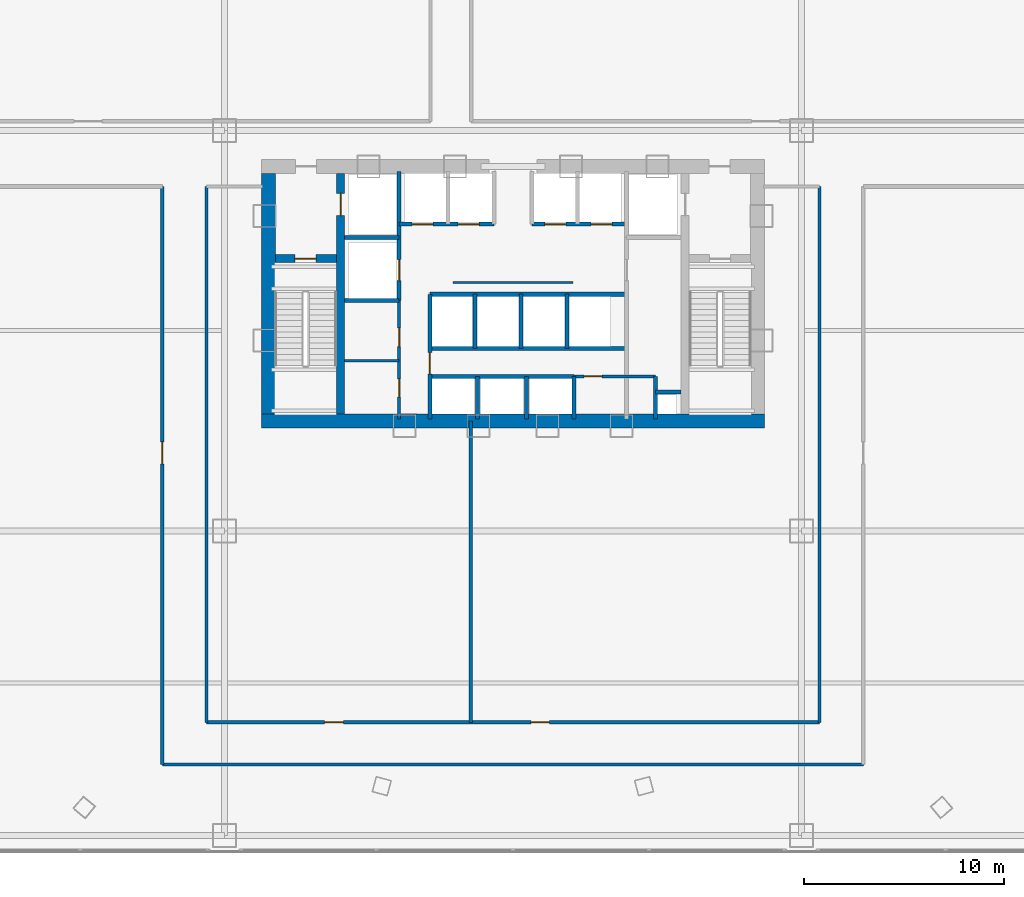
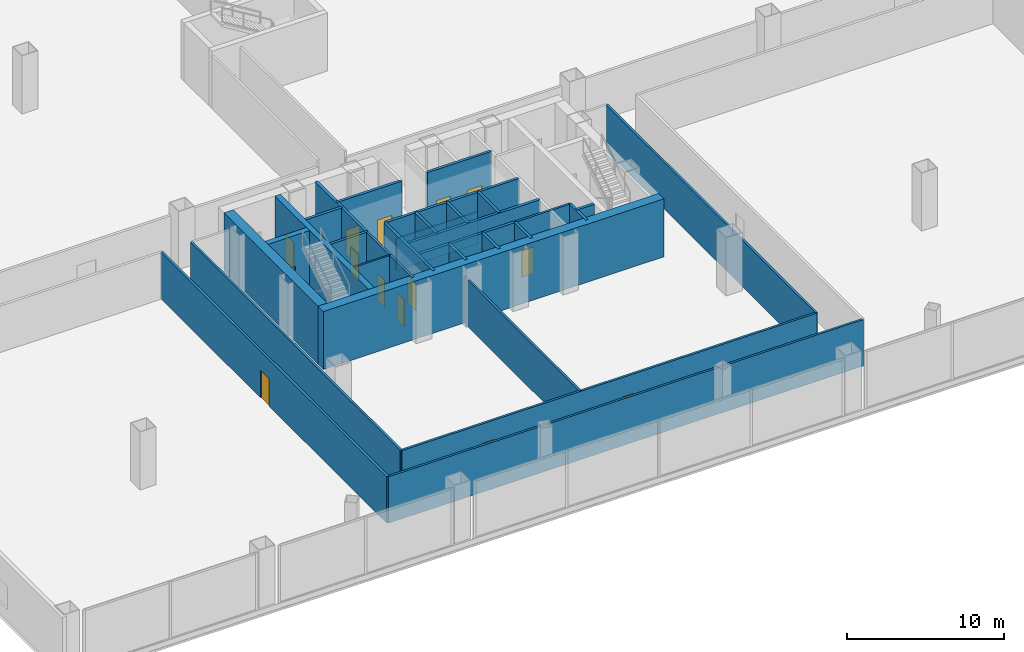
# One storey, part 19 of 27: 31 walls, 14 doors, 14 openings.
"""IFC4 building model written with IfcOpenShell, lengths in metres."""

from ifc_helpers import new_model, si_unit, direction, frame, frame_2d, origin, origin_with_axes, place, context, subcontext, project, spatial, rectangle, extrude, source, transform, mapped, material, layer, layer_set, type_object, element, fill, save


model = new_model("IFC4")

# Units and contexts
model_context = context("Model", 3, precision=1e-05, world=origin(), true_north=direction((0.0, 1.0)))
body_context = subcontext(model_context, "Body", "Model", "MODEL_VIEW")
ifc_project = project(units=[si_unit("LENGTHUNIT", "METRE"), si_unit("AREAUNIT", "SQUARE_METRE"), si_unit("VOLUMEUNIT", "CUBIC_METRE"), si_unit("PLANEANGLEUNIT", "RADIAN"), si_unit("MASSUNIT", "GRAM", prefix="KILO"), si_unit("THERMODYNAMICTEMPERATUREUNIT", "KELVIN"), si_unit("POWERUNIT", "WATT")], contexts=[model_context])

# Site, building, storey
site_placement = place(None, origin())
site = spatial("IfcSite", under=ifc_project, at=site_placement, CompositionType="ELEMENT")
building_placement = place(site_placement, origin())
building = spatial("IfcBuilding", under=site, at=building_placement, Name="Yunzhuo Pagoda Commons", CompositionType="ELEMENT")
storey_placement = place(building_placement, frame((0.0, 0.0, 9.60009765625)))
storey = spatial("IfcBuildingStorey", under=building, at=storey_placement, Name="L03", CompositionType="ELEMENT", Elevation=9.60009765625)

# Walls
ifc_material_1 = material(Name="Concrete C60", Category="concrete")
ifc_layer_1 = layer(ifc_material_1, 0.699951171875)
ifc_layer_set_1 = layer_set([ifc_layer_1], Name="Concrete C60")
wall_type_1 = type_object("IfcWallType", Name="W-C01 Lower Core Shear Wall 700", PredefinedType="SHEAR", material=ifc_layer_set_1)
wall_1_placement = place(storey_placement, frame((35.449951171875, 27.5, 0.0), z_axis=(0.0, 0.0, 1.0), x_axis=(1.0, 0.0, 0.0)))
element("IfcWall", 1, at=wall_1_placement, inside=storey, type_object=wall_type_1, Name="L03 core shear wall S", PredefinedType="SHEAR", context=body_context, shape_type="SweptSolid", body=[
    extrude(rectangle(XDim=25.10009765625, YDim=0.699951171875, at=frame_2d((12.550048828125, 0.0))), origin(), (0.0, 0.0, 1.0), 4.52001953125),
])
wall_2_placement = place(storey_placement, frame((35.800048828125, 27.85009765625, 0.0), z_axis=(0.0, 0.0, 1.0), x_axis=(0.0, 1.0, 0.0)))
element("IfcWall", 2, at=wall_2_placement, inside=storey, type_object=wall_type_1, Name="L03 core shear wall W", PredefinedType="SHEAR", context=body_context, shape_type="SweptSolid", body=[
    extrude(rectangle(XDim=12.0, YDim=0.699951171875, at=frame_2d((6.0, 0.0))), origin(), (0.0, 0.0, 1.0), 4.52001953125),
])

# Wall, openings, doors
ifc_material_2 = material(Name="Gypsum plasterboard on acoustic stud")
ifc_layer_2 = layer(ifc_material_2, 0.159912109375)
ifc_layer_set_2 = layer_set([ifc_layer_2], Name="Gypsum plasterboard on acoustic stud")
wall_type_2 = type_object("IfcWallType", Name="W-COR1 Tower Rated Corridor Wall 160", PredefinedType="PARTITIONING", material=ifc_layer_set_2)
wall_3_placement = place(storey_placement, frame((42.320068359375, 27.60009765625, 0.0), z_axis=(0.0, 0.0, 1.0), x_axis=(0.0, 1.0, 0.0)))
wall_3 = element("IfcWall", 3, at=wall_3_placement, inside=storey, type_object=wall_type_2, Name="L03 interior wall IW-L03-CSWE", PredefinedType="PARTITIONING", context=body_context, shape_type="SweptSolid", body=[
    extrude(rectangle(XDim=5.89990234375, YDim=0.159912109375, at=frame_2d((2.949951171875, 0.0))), origin(), (0.0, 0.0, 1.0), 4.52001953125),
])
opening_1_placement = place(wall_3_placement, frame((1.10009765625, 0.0, 0.0)))
opening_1 = element("IfcOpeningElement", 4, at=opening_1_placement, cuts=wall_3, Name="Opening D-03", PredefinedType="OPENING", context=body_context, shape_type="SweptSolid", body=[
    extrude(rectangle(XDim=0.89990234375, YDim=2.10009765625, at=frame_2d((0.449951171875, 1.050048828125))), frame((0.0, 0.08984375, 0.0), z_axis=(0.0, -1.0, 0.0), x_axis=(1.0, 0.0, 0.0)), (0.0, 0.0, 1.0), 0.179931640625),
])
opening_2_placement = place(wall_3_placement, frame((3.60009765625, 0.0, 0.0)))
opening_2 = element("IfcOpeningElement", 5, at=opening_2_placement, cuts=wall_3, Name="Opening D-11", PredefinedType="OPENING", context=body_context, shape_type="SweptSolid", body=[
    extrude(rectangle(XDim=0.93994140625, YDim=2.10009765625, at=frame_2d((0.469970703125, 1.050048828125))), frame((0.0, 0.08984375, 0.0), z_axis=(0.0, -1.0, 0.0), x_axis=(1.0, 0.0, 0.0)), (0.0, 0.0, 1.0), 0.179931640625),
])
ifc_material_3 = material(Name="Galvanized fire-resisting metal leaf")
door_type_1 = type_object("IfcDoorType", Name="D-03 Core Service Fire Door 900x2100", OperationType="NOTDEFINED", PredefinedType="DOOR", material=ifc_material_3)
shared_shape_1 = source(origin(), body_context, "Body", "SweptSolid", [
    extrude(rectangle(XDim=0.89990234375, YDim=2.10009765625, at=frame_2d((0.449951171875, 1.050048828125))), frame((0.0, 0.02490234375, 0.0), z_axis=(0.0, -1.0, 0.0), x_axis=(1.0, 0.0, 0.0)), (0.0, 0.0, 1.0), 0.050048828125),
])
door_1_placement = place(opening_1_placement, origin_with_axes())
door_1 = element("IfcDoor", 6, at=door_1_placement, inside=storey, type_object=door_type_1, Name="L03 housekeeping door", OperationType="SINGLE_SWING_RIGHT", OverallHeight=2.10009765625, OverallWidth=0.89990234375, PredefinedType="DOOR", context=body_context, shape_type="MappedRepresentation", body=[
    mapped(shared_shape_1, transform((0.0, 0.0, 0.0), scale=1.0)),
])
fill(opening_1, door_1)
door_type_2 = type_object("IfcDoorType", Name="D-11 Accessible Washroom Fire Door 940x2100", OperationType="NOTDEFINED", PredefinedType="DOOR", material=ifc_material_3)
shared_shape_2 = source(origin(), body_context, "Body", "SweptSolid", [
    extrude(rectangle(XDim=0.93994140625, YDim=2.10009765625, at=frame_2d((0.469970703125, 1.050048828125))), frame((0.0, 0.02490234375, 0.0), z_axis=(0.0, -1.0, 0.0), x_axis=(1.0, 0.0, 0.0)), (0.0, 0.0, 1.0), 0.050048828125),
])
door_2_placement = place(opening_2_placement, origin_with_axes())
door_2 = element("IfcDoor", 7, at=door_2_placement, inside=storey, type_object=door_type_2, Name="L03 core WC door", OperationType="SINGLE_SWING_RIGHT", OverallHeight=2.10009765625, OverallWidth=0.93994140625, PredefinedType="DOOR", context=body_context, shape_type="MappedRepresentation", body=[
    mapped(shared_shape_2, transform((0.0, 0.0, 0.0), scale=1.0)),
])
fill(opening_2, door_2)

# Wall, opening, door
wall_4_placement = place(storey_placement, frame((51.050048828125, 29.719970703125, 0.0), z_axis=(0.0, 0.0, 1.0), x_axis=(1.0, 0.0, 0.0)))
wall_4 = element("IfcWall", 8, at=wall_4_placement, inside=storey, type_object=wall_type_2, Name="L03 interior wall IW-L03-CSES", PredefinedType="PARTITIONING", context=body_context, shape_type="SweptSolid", body=[
    extrude(rectangle(XDim=4.070068359375, YDim=0.159912109375, at=frame_2d((2.03515625, 0.0))), origin(), (0.0, 0.0, 1.0), 4.52001953125),
])
opening_3_placement = place(wall_4_placement, frame((0.5, 0.0, 0.0)))
opening_3 = element("IfcOpeningElement", 9, at=opening_3_placement, cuts=wall_4, Name="Opening D-03", PredefinedType="OPENING", context=body_context, shape_type="SweptSolid", body=[
    extrude(rectangle(XDim=0.89990234375, YDim=2.10009765625, at=frame_2d((0.449951171875, 1.050048828125))), frame((0.0, 0.08984375, 0.0), z_axis=(0.0, -1.0, 0.0), x_axis=(1.0, 0.0, 0.0)), (0.0, 0.0, 1.0), 0.179931640625),
])
door_3_placement = place(opening_3_placement, origin_with_axes())
door_3 = element("IfcDoor", 10, at=door_3_placement, inside=storey, type_object=door_type_1, Name="L03 IT closet door", OperationType="SINGLE_SWING_LEFT", OverallHeight=2.10009765625, OverallWidth=0.89990234375, PredefinedType="DOOR", context=body_context, shape_type="MappedRepresentation", body=[
    mapped(shared_shape_1, transform((0.0, 0.0, 0.0), scale=1.0)),
])
fill(opening_3, door_3)

# Wall
wall_5_placement = place(storey_placement, frame((30.5, 10.35009765625, 0.0), z_axis=(0.0, 0.0, 1.0), x_axis=(1.0, 0.0, 0.0)))
element("IfcWall", 11, at=wall_5_placement, inside=storey, type_object=wall_type_2, Name="L03 interior wall IW-L03-PSOUT", PredefinedType="PARTITIONING", context=body_context, shape_type="SweptSolid", body=[
    extrude(rectangle(XDim=35.0, YDim=0.159912109375, at=frame_2d((17.5, 0.0))), origin(), (0.0, 0.0, 1.0), 3.619873046875),
])

# Wall, openings, doors
wall_6_placement = place(storey_placement, frame((32.699951171875, 12.449951171875, 0.0), z_axis=(0.0, 0.0, 1.0), x_axis=(1.0, 0.0, 0.0)))
wall_6 = element("IfcWall", 12, at=wall_6_placement, inside=storey, type_object=wall_type_2, Name="L03 interior wall IW-L03-PSMID", PredefinedType="PARTITIONING", context=body_context, shape_type="SweptSolid", body=[
    extrude(rectangle(XDim=30.60009765625, YDim=0.159912109375, at=frame_2d((15.300048828125, 0.0))), origin(), (0.0, 0.0, 1.0), 3.619873046875),
])
opening_4_placement = place(wall_6_placement, frame((16.199951171875, 0.0, 0.0)))
opening_4 = element("IfcOpeningElement", 13, at=opening_4_placement, cuts=wall_6, Name="Opening D-04", PredefinedType="OPENING", context=body_context, shape_type="SweptSolid", body=[
    extrude(rectangle(XDim=0.919921875, YDim=2.10009765625, at=frame_2d((0.4599609375, 1.050048828125))), frame((0.0, 0.08984375, 0.0), z_axis=(0.0, -1.0, 0.0), x_axis=(1.0, 0.0, 0.0)), (0.0, 0.0, 1.0), 0.179931640625),
])
opening_5_placement = place(wall_6_placement, frame((5.89990234375, 0.0, 0.0)))
opening_5 = element("IfcOpeningElement", 14, at=opening_5_placement, cuts=wall_6, Name="Opening D-11", PredefinedType="OPENING", context=body_context, shape_type="SweptSolid", body=[
    extrude(rectangle(XDim=0.93994140625, YDim=2.10009765625, at=frame_2d((0.469970703125, 1.050048828125))), frame((0.0, 0.08984375, 0.0), z_axis=(0.0, -1.0, 0.0), x_axis=(1.0, 0.0, 0.0)), (0.0, 0.0, 1.0), 0.179931640625),
])
door_4_placement = place(opening_5_placement, origin_with_axes())
door_4 = element("IfcDoor", 15, at=door_4_placement, inside=storey, type_object=door_type_2, Name="L03 washroom door", OperationType="SINGLE_SWING_RIGHT", OverallHeight=2.10009765625, OverallWidth=0.93994140625, PredefinedType="DOOR", context=body_context, shape_type="MappedRepresentation", body=[
    mapped(shared_shape_2, transform((0.0, 0.0, 0.0), scale=1.0)),
])
fill(opening_5, door_4)
ifc_material_4 = material(Name="Powder-coated aluminium and timber acoustic leaf", Category="wood")
door_type_3 = type_object("IfcDoorType", Name="D-04 Bedroom & Study Interior Door 920x2100", OperationType="NOTDEFINED", PredefinedType="DOOR", material=ifc_material_4)
shared_shape_3 = source(origin(), body_context, "Body", "SweptSolid", [
    extrude(rectangle(XDim=0.919921875, YDim=2.10009765625, at=frame_2d((0.4599609375, 1.050048828125))), frame((0.0, 0.02490234375, 0.0), z_axis=(0.0, -1.0, 0.0), x_axis=(1.0, 0.0, 0.0)), (0.0, 0.0, 1.0), 0.050048828125),
])
door_5_placement = place(opening_4_placement, origin_with_axes())
door_5 = element("IfcDoor", 16, at=door_5_placement, inside=storey, type_object=door_type_3, Name="L03 Group Study Commons door", OperationType="SINGLE_SWING_LEFT", OverallHeight=2.10009765625, OverallWidth=0.919921875, PredefinedType="DOOR", context=body_context, shape_type="MappedRepresentation", body=[
    mapped(shared_shape_3, transform((0.0, 0.0, 0.0), scale=1.0)),
])
fill(opening_4, door_5)

# Walls
for number, where, z_axis, x_axis, name in (
    (17, (32.699951171875, 12.449951171875, 0.0), (0.0, 0.0, 1.0), (0.0, 1.0, 0.0), "L03 interior wall IW-L03-PSMW"),
    (18, (63.300048828125, 12.449951171875, 0.0), (0.0, 0.0, 1.0), (0.0, 1.0, 0.0), "L03 interior wall IW-L03-PSME"),
):
    element("IfcWall", number, at=place(storey_placement, frame(where, z_axis=z_axis, x_axis=x_axis)), inside=storey, type_object=wall_type_2, Name=name, PredefinedType="PARTITIONING", context=body_context, shape_type="SweptSolid", body=[
        extrude(rectangle(XDim=26.75, YDim=0.159912109375, at=frame_2d((13.375, 0.0))), origin(), (0.0, 0.0, 1.0), 3.619873046875),
    ])
wall_7_placement = place(storey_placement, frame((45.89990234375, 12.449951171875, 0.0), z_axis=(0.0, 0.0, 1.0), x_axis=(0.0, 1.0, 0.0)))
element("IfcWall", 19, at=wall_7_placement, inside=storey, type_object=wall_type_2, Name="L03 interior wall IW-L03-PWCDV", PredefinedType="PARTITIONING", context=body_context, shape_type="SweptSolid", body=[
    extrude(rectangle(XDim=15.050048828125, YDim=0.159912109375, at=frame_2d((7.52490234375, 0.0))), origin(), (0.0, 0.0, 1.0), 3.619873046875),
])
ifc_material_5 = material(Name="Anodized aluminium 6063-T6", Category="aluminium")
ifc_layer_3 = layer(ifc_material_5, 0.110107421875)
ifc_layer_set_3 = layer_set([ifc_layer_3], Name="Anodized aluminium 6063-T6")
wall_type_3 = type_object("IfcWallType", Name="W-MOV1 Operable Seminar Partition 110", PredefinedType="MOVABLE", material=ifc_layer_set_3)
wall_8_placement = place(storey_placement, frame((45.0, 34.39990234375, 0.0), z_axis=(0.0, 0.0, 1.0), x_axis=(1.0, 0.0, 0.0)))
element("IfcWall", 20, at=wall_8_placement, inside=storey, type_object=wall_type_3, Name="L03 acoustic movable lobby screen", PredefinedType="MOVABLE", context=body_context, shape_type="SweptSolid", body=[
    extrude(rectangle(XDim=6.0, YDim=0.110107421875, at=frame_2d((3.0, 0.0))), origin(), (0.0, 0.0, 1.0), 2.5),
])
ifc_layer_4 = layer(ifc_material_2, 0.1201171875)
ifc_layer_set_4 = layer_set([ifc_layer_4], Name="Gypsum plasterboard on acoustic stud")
wall_type_4 = type_object("IfcWallType", Name="W-PRT1 Suite & Bathroom Partition 120", PredefinedType="PARTITIONING", material=ifc_layer_set_4)
wall_9_placement = place(storey_placement, frame((39.60009765625, 30.5, 0.0), z_axis=(0.0, 0.0, 1.0), x_axis=(1.0, 0.0, 0.0)))
element("IfcWall", 21, at=wall_9_placement, inside=storey, type_object=wall_type_4, Name="L03 interior wall IW-L03-CB1", PredefinedType="PARTITIONING", context=body_context, shape_type="SweptSolid", body=[
    extrude(rectangle(XDim=2.719970703125, YDim=0.1201171875, at=frame_2d((1.35986328125, 0.0))), origin(), (0.0, 0.0, 1.0), 4.52001953125),
])

# Wall, opening, door
ifc_layer_5 = layer(ifc_material_2, 0.179931640625)
ifc_layer_set_5 = layer_set([ifc_layer_5], Name="Gypsum plasterboard on acoustic stud")
wall_type_5 = type_object("IfcWallType", Name="W-PRT2 Acoustic Unit Demising Wall 180", PredefinedType="PARTITIONING", material=ifc_layer_set_5)
wall_10_placement = place(storey_placement, frame((30.5, 10.35009765625, 0.0), z_axis=(0.0, 0.0, 1.0), x_axis=(0.0, 1.0, 0.0)))
wall_10 = element("IfcWall", 22, at=wall_10_placement, inside=storey, type_object=wall_type_5, Name="L03 interior wall IW-L03-PWEST", PredefinedType="PARTITIONING", context=body_context, shape_type="SweptSolid", body=[
    extrude(rectangle(XDim=28.849853515625, YDim=0.179931640625, at=frame_2d((14.4248046875, 0.0))), origin(), (0.0, 0.0, 1.0), 3.619873046875),
])
opening_6_placement = place(wall_10_placement, frame((15.0, 0.0, 0.0)))
opening_6 = element("IfcOpeningElement", 23, at=opening_6_placement, cuts=wall_10, Name="Opening D-09", PredefinedType="OPENING", context=body_context, shape_type="SweptSolid", body=[
    extrude(rectangle(XDim=1.10009765625, YDim=2.14990234375, at=frame_2d((0.550048828125, 1.074951171875))), frame((0.0, 0.10009765625, 0.0), z_axis=(0.0, -1.0, 0.0), x_axis=(1.0, 0.0, 0.0)), (0.0, 0.0, 1.0), 0.199951171875),
])
door_type_4 = type_object("IfcDoorType", Name="D-09 Podium Commons Hall Fire Door 1100x2150", OperationType="NOTDEFINED", PredefinedType="DOOR", material=ifc_material_3)
shared_shape_4 = source(origin(), body_context, "Body", "SweptSolid", [
    extrude(rectangle(XDim=1.10009765625, YDim=2.14990234375, at=frame_2d((0.550048828125, 1.074951171875))), frame((0.0, 0.02490234375, 0.0), z_axis=(0.0, -1.0, 0.0), x_axis=(1.0, 0.0, 0.0)), (0.0, 0.0, 1.0), 0.050048828125),
])
door_6_placement = place(opening_6_placement, origin_with_axes())
door_6 = element("IfcDoor", 24, at=door_6_placement, inside=storey, type_object=door_type_4, Name="L03 Academic Faculty Office 1 door", OperationType="SINGLE_SWING_LEFT", OverallHeight=2.14990234375, OverallWidth=1.10009765625, PredefinedType="DOOR", context=body_context, shape_type="MappedRepresentation", body=[
    mapped(shared_shape_4, transform((0.0, 0.0, 0.0), scale=1.0)),
])
fill(opening_6, door_6)

ifc_layer_6 = layer(ifc_material_1, 0.39990234375)
ifc_layer_set_6 = layer_set([ifc_layer_6], Name="Concrete C60")
wall_type_6 = type_object("IfcWallType", Name="W-S01 Internal Core Shear Web 400", PredefinedType="SHEAR", material=ifc_layer_set_6)
wall_11_placement = place(storey_placement, frame((39.39990234375, 27.85009765625, 0.0), z_axis=(0.0, 0.0, 1.0), x_axis=(0.0, 1.0, 0.0)))
wall_11 = element("IfcWall", 25, at=wall_11_placement, inside=storey, type_object=wall_type_6, Name="L03 core shear wall WEBW", PredefinedType="SHEAR", context=body_context, shape_type="SweptSolid", body=[
    extrude(rectangle(XDim=12.0, YDim=0.39990234375, at=frame_2d((6.0, 0.0))), origin(), (0.0, 0.0, 1.0), 4.52001953125),
])
opening_7_placement = place(wall_11_placement, frame((9.89990234375, 0.0, 0.0)))
opening_7 = element("IfcOpeningElement", 26, at=opening_7_placement, cuts=wall_11, Name="Opening LD-01", PredefinedType="OPENING", context=body_context, shape_type="SweptSolid", body=[
    extrude(rectangle(XDim=1.10009765625, YDim=2.10009765625, at=frame_2d((0.550048828125, 1.050048828125))), frame((0.0, 0.2099609375, 0.0), z_axis=(0.0, -1.0, 0.0), x_axis=(1.0, 0.0, 0.0)), (0.0, 0.0, 1.0), 0.419921875),
])
door_type_5 = type_object("IfcDoorType", Name="LD-01 Firefighting Lift Landing Door 1100x2100", OperationType="DOUBLE_DOOR_SLIDING", PredefinedType="DOOR", material=ifc_material_3)
shared_shape_5 = source(origin(), body_context, "Body", "SweptSolid", [
    extrude(rectangle(XDim=1.10009765625, YDim=2.10009765625, at=frame_2d((0.550048828125, 1.050048828125))), frame((0.0, 0.02490234375, 0.0), z_axis=(0.0, -1.0, 0.0), x_axis=(1.0, 0.0, 0.0)), (0.0, 0.0, 1.0), 0.050048828125),
])
door_7_placement = place(opening_7_placement, frame((1.10009765625, 0.0, 0.0), z_axis=(0.0, 0.0, 1.0), x_axis=(-1.0, 0.0, 0.0)))
door_7 = element("IfcDoor", 27, at=door_7_placement, inside=storey, type_object=door_type_5, Name="L03 Firefighting lift FL-1 landing door", OperationType="DOUBLE_DOOR_SLIDING", OverallHeight=2.10009765625, OverallWidth=1.10009765625, PredefinedType="DOOR", context=body_context, shape_type="MappedRepresentation", body=[
    mapped(shared_shape_5, transform((0.0, 0.0, 0.0), scale=1.0)),
])
fill(opening_7, door_7)

wall_12_placement = place(storey_placement, frame((36.14990234375, 35.60009765625, 0.0), z_axis=(0.0, 0.0, 1.0), x_axis=(1.0, 0.0, 0.0)))
wall_12 = element("IfcWall", 28, at=wall_12_placement, inside=storey, type_object=wall_type_6, Name="L03 core shear wall STW", PredefinedType="SHEAR", context=body_context, shape_type="SweptSolid", body=[
    extrude(rectangle(XDim=3.050048828125, YDim=0.39990234375, at=frame_2d((1.52490234375, 0.0))), origin(), (0.0, 0.0, 1.0), 4.52001953125),
])
opening_8_placement = place(wall_12_placement, frame((0.969970703125, 0.0, 0.0)))
opening_8 = element("IfcOpeningElement", 29, at=opening_8_placement, cuts=wall_12, Name="Opening D-01", PredefinedType="OPENING", context=body_context, shape_type="SweptSolid", body=[
    extrude(rectangle(XDim=1.050048828125, YDim=2.10009765625, at=frame_2d((0.52490234375, 1.050048828125))), frame((0.0, 0.2099609375, 0.0), z_axis=(0.0, -1.0, 0.0), x_axis=(1.0, 0.0, 0.0)), (0.0, 0.0, 1.0), 0.419921875),
])
door_type_6 = type_object("IfcDoorType", Name="D-01 Smokeproof Stair Fire Door 1050x2100", OperationType="NOTDEFINED", PredefinedType="DOOR", material=ifc_material_3)
shared_shape_6 = source(origin(), body_context, "Body", "SweptSolid", [
    extrude(rectangle(XDim=1.050048828125, YDim=2.10009765625, at=frame_2d((0.52490234375, 1.050048828125))), frame((0.0, 0.02490234375, 0.0), z_axis=(0.0, -1.0, 0.0), x_axis=(1.0, 0.0, 0.0)), (0.0, 0.0, 1.0), 0.050048828125),
])
door_8_placement = place(opening_8_placement, frame((1.050048828125, 0.0, 0.0), z_axis=(0.0, 0.0, 1.0), x_axis=(-1.0, 0.0, 0.0)))
door_8 = element("IfcDoor", 30, at=door_8_placement, inside=storey, type_object=door_type_6, Name="L03 Stair ST1 fire door", OperationType="SINGLE_SWING_LEFT", OverallHeight=2.10009765625, OverallWidth=1.050048828125, PredefinedType="DOOR", context=body_context, shape_type="MappedRepresentation", body=[
    mapped(shared_shape_6, transform((0.0, 0.0, 0.0), scale=1.0)),
])
fill(opening_8, door_8)

ifc_material_6 = material(Name="Concrete C40", Category="concrete")
ifc_layer_7 = layer(ifc_material_6, 0.199951171875)
ifc_layer_set_7 = layer_set([ifc_layer_7], Name="Concrete C40")
wall_type_7 = type_object("IfcWallType", Name="W-SHF Shaft & Stair Enclosure Wall 200", PredefinedType="SOLIDWALL", material=ifc_layer_set_7)
wall_13_placement = place(storey_placement, frame((42.320068359375, 33.5, 0.0), z_axis=(0.0, 0.0, 1.0), x_axis=(0.0, 1.0, 0.0)))
wall_13 = element("IfcWall", 31, at=wall_13_placement, inside=storey, type_object=wall_type_7, Name="L03 interior wall IW-L03-FL1E", PredefinedType="SOLIDWALL", context=body_context, shape_type="SweptSolid", body=[
    extrude(rectangle(XDim=6.449951171875, YDim=0.199951171875, at=frame_2d((3.22509765625, 0.0))), origin(), (0.0, 0.0, 1.0), 4.52001953125),
])
opening_9_placement = place(wall_13_placement, frame((1.0, 0.0, 0.0)))
opening_9 = element("IfcOpeningElement", 32, at=opening_9_placement, cuts=wall_13, Name="Opening LD-02", PredefinedType="OPENING", context=body_context, shape_type="SweptSolid", body=[
    extrude(rectangle(XDim=1.050048828125, YDim=2.10009765625, at=frame_2d((0.52490234375, 1.050048828125))), frame((0.0, 0.10986328125, 0.0), z_axis=(0.0, -1.0, 0.0), x_axis=(1.0, 0.0, 0.0)), (0.0, 0.0, 1.0), 0.219970703125),
])
door_type_7 = type_object("IfcDoorType", Name="LD-02 Passenger Lift Landing Door 1050x2100", OperationType="DOUBLE_DOOR_SLIDING", PredefinedType="DOOR", material=ifc_material_3)
door_9_placement = place(opening_9_placement, origin_with_axes())
door_9 = element("IfcDoor", 33, at=door_9_placement, inside=storey, type_object=door_type_7, Name="L03 Service lift SL-1 landing door", OperationType="DOUBLE_DOOR_SLIDING", OverallHeight=2.10009765625, OverallWidth=1.050048828125, PredefinedType="DOOR", context=body_context, shape_type="MappedRepresentation", body=[
    mapped(shared_shape_6, transform((0.0, 0.0, 0.0), scale=1.0)),
])
fill(opening_9, door_9)

# Walls
for number, where, z_axis, x_axis, name in (
    (34, (39.60009765625, 36.64990234375, 0.0), (0.0, 0.0, 1.0), (1.0, 0.0, 0.0), "L03 interior wall IW-L03-FL1S"),
    (35, (39.60009765625, 33.5, 0.0), (0.0, 0.0, 1.0), (1.0, 0.0, 0.0), "L03 interior wall IW-L03-SL1S"),
):
    element("IfcWall", number, at=place(storey_placement, frame(where, z_axis=z_axis, x_axis=x_axis)), inside=storey, type_object=wall_type_7, Name=name, PredefinedType="SOLIDWALL", context=body_context, shape_type="SweptSolid", body=[
        extrude(rectangle(XDim=2.719970703125, YDim=0.199951171875, at=frame_2d((1.35986328125, 0.0))), origin(), (0.0, 0.0, 1.0), 4.52001953125),
    ])

# Wall, openings, doors
wall_14_placement = place(storey_placement, frame((42.320068359375, 37.320068359375, 0.0), z_axis=(0.0, 0.0, 1.0), x_axis=(1.0, 0.0, 0.0)))
wall_14 = element("IfcWall", 36, at=wall_14_placement, inside=storey, type_object=wall_type_7, Name="L03 interior wall IW-L03-LBNW", PredefinedType="SOLIDWALL", context=body_context, shape_type="SweptSolid", body=[
    extrude(rectangle(XDim=4.72998046875, YDim=0.199951171875, at=frame_2d((2.364990234375, 0.0))), origin(), (0.0, 0.0, 1.0), 4.52001953125),
])
opening_10_placement = place(wall_14_placement, frame((0.64990234375, 0.0, 0.0)))
opening_10 = element("IfcOpeningElement", 37, at=opening_10_placement, cuts=wall_14, Name="Opening LD-02", PredefinedType="OPENING", context=body_context, shape_type="SweptSolid", body=[
    extrude(rectangle(XDim=1.050048828125, YDim=2.10009765625, at=frame_2d((0.52490234375, 1.050048828125))), frame((0.0, 0.10986328125, 0.0), z_axis=(0.0, -1.0, 0.0), x_axis=(1.0, 0.0, 0.0)), (0.0, 0.0, 1.0), 0.219970703125),
])
opening_11_placement = place(wall_14_placement, frame((2.949951171875, 0.0, 0.0)))
opening_11 = element("IfcOpeningElement", 38, at=opening_11_placement, cuts=wall_14, Name="Opening LD-02", PredefinedType="OPENING", context=body_context, shape_type="SweptSolid", body=[
    extrude(rectangle(XDim=1.050048828125, YDim=2.10009765625, at=frame_2d((0.52490234375, 1.050048828125))), frame((0.0, 0.10986328125, 0.0), z_axis=(0.0, -1.0, 0.0), x_axis=(1.0, 0.0, 0.0)), (0.0, 0.0, 1.0), 0.219970703125),
])
door_10_placement = place(opening_10_placement, frame((1.050048828125, 0.0, 0.0), z_axis=(0.0, 0.0, 1.0), x_axis=(-1.0, 0.0, 0.0)))
door_10 = element("IfcDoor", 39, at=door_10_placement, inside=storey, type_object=door_type_7, Name="L03 Passenger lift PL-L1 landing door", OperationType="DOUBLE_DOOR_SLIDING", OverallHeight=2.10009765625, OverallWidth=1.050048828125, PredefinedType="DOOR", context=body_context, shape_type="MappedRepresentation", body=[
    mapped(shared_shape_6, transform((0.0, 0.0, 0.0), scale=1.0)),
])
fill(opening_10, door_10)
door_11_placement = place(opening_11_placement, frame((1.050048828125, 0.0, 0.0), z_axis=(0.0, 0.0, 1.0), x_axis=(-1.0, 0.0, 0.0)))
door_11 = element("IfcDoor", 40, at=door_11_placement, inside=storey, type_object=door_type_7, Name="L03 Passenger lift PL-L2 landing door", OperationType="DOUBLE_DOOR_SLIDING", OverallHeight=2.10009765625, OverallWidth=1.050048828125, PredefinedType="DOOR", context=body_context, shape_type="MappedRepresentation", body=[
    mapped(shared_shape_6, transform((0.0, 0.0, 0.0), scale=1.0)),
])
fill(opening_11, door_11)

wall_15_placement = place(storey_placement, frame((48.949951171875, 37.320068359375, 0.0), z_axis=(0.0, 0.0, 1.0), x_axis=(1.0, 0.0, 0.0)))
wall_15 = element("IfcWall", 41, at=wall_15_placement, inside=storey, type_object=wall_type_7, Name="L03 interior wall IW-L03-LBNE", PredefinedType="SOLIDWALL", context=body_context, shape_type="SweptSolid", body=[
    extrude(rectangle(XDim=4.72998046875, YDim=0.199951171875, at=frame_2d((2.364990234375, 0.0))), origin(), (0.0, 0.0, 1.0), 4.52001953125),
])
opening_12_placement = place(wall_15_placement, frame((0.64990234375, 0.0, 0.0)))
opening_12 = element("IfcOpeningElement", 42, at=opening_12_placement, cuts=wall_15, Name="Opening LD-02", PredefinedType="OPENING", context=body_context, shape_type="SweptSolid", body=[
    extrude(rectangle(XDim=1.050048828125, YDim=2.10009765625, at=frame_2d((0.52490234375, 1.050048828125))), frame((0.0, 0.10986328125, 0.0), z_axis=(0.0, -1.0, 0.0), x_axis=(1.0, 0.0, 0.0)), (0.0, 0.0, 1.0), 0.219970703125),
])
opening_13_placement = place(wall_15_placement, frame((2.949951171875, 0.0, 0.0)))
opening_13 = element("IfcOpeningElement", 43, at=opening_13_placement, cuts=wall_15, Name="Opening LD-02", PredefinedType="OPENING", context=body_context, shape_type="SweptSolid", body=[
    extrude(rectangle(XDim=1.050048828125, YDim=2.10009765625, at=frame_2d((0.52490234375, 1.050048828125))), frame((0.0, 0.10986328125, 0.0), z_axis=(0.0, -1.0, 0.0), x_axis=(1.0, 0.0, 0.0)), (0.0, 0.0, 1.0), 0.219970703125),
])
door_12_placement = place(opening_12_placement, frame((1.050048828125, 0.0, 0.0), z_axis=(0.0, 0.0, 1.0), x_axis=(-1.0, 0.0, 0.0)))
door_12 = element("IfcDoor", 44, at=door_12_placement, inside=storey, type_object=door_type_7, Name="L03 Passenger lift PL-L3 landing door", OperationType="DOUBLE_DOOR_SLIDING", OverallHeight=2.10009765625, OverallWidth=1.050048828125, PredefinedType="DOOR", context=body_context, shape_type="MappedRepresentation", body=[
    mapped(shared_shape_6, transform((0.0, 0.0, 0.0), scale=1.0)),
])
fill(opening_12, door_12)
door_13_placement = place(opening_13_placement, frame((1.050048828125, 0.0, 0.0), z_axis=(0.0, 0.0, 1.0), x_axis=(-1.0, 0.0, 0.0)))
door_13 = element("IfcDoor", 45, at=door_13_placement, inside=storey, type_object=door_type_7, Name="L03 Passenger lift PL-L4 landing door", OperationType="DOUBLE_DOOR_SLIDING", OverallHeight=2.10009765625, OverallWidth=1.050048828125, PredefinedType="DOOR", context=body_context, shape_type="MappedRepresentation", body=[
    mapped(shared_shape_6, transform((0.0, 0.0, 0.0), scale=1.0)),
])
fill(opening_13, door_13)

# Wall
wall_16_placement = place(storey_placement, frame((43.85009765625, 33.820068359375, 0.0), z_axis=(0.0, 0.0, 1.0), x_axis=(1.0, 0.0, 0.0)))
element("IfcWall", 46, at=wall_16_placement, inside=storey, type_object=wall_type_7, Name="L03 interior wall IW-L03-MLBS", PredefinedType="SOLIDWALL", context=body_context, shape_type="SweptSolid", body=[
    extrude(rectangle(XDim=9.829833984375, YDim=0.199951171875, at=frame_2d((4.9150390625, 0.0))), origin(), (0.0, 0.0, 1.0), 4.52001953125),
])

# Wall, opening, door
wall_17_placement = place(storey_placement, frame((43.85009765625, 27.60009765625, 0.0), z_axis=(0.0, 0.0, 1.0), x_axis=(0.0, 1.0, 0.0)))
wall_17 = element("IfcWall", 47, at=wall_17_placement, inside=storey, type_object=wall_type_7, Name="L03 interior wall IW-L03-PLMW", PredefinedType="SOLIDWALL", context=body_context, shape_type="SweptSolid", body=[
    extrude(rectangle(XDim=6.219970703125, YDim=0.199951171875, at=frame_2d((3.10986328125, 0.0))), origin(), (0.0, 0.0, 1.0), 4.52001953125),
])
opening_14_placement = place(wall_17_placement, frame((2.25, 0.0, 0.0)))
opening_14 = element("IfcOpeningElement", 48, at=opening_14_placement, cuts=wall_17, Name="Opening D-02", PredefinedType="OPENING", context=body_context, shape_type="SweptSolid", body=[
    extrude(rectangle(XDim=1.050048828125, YDim=2.10009765625, at=frame_2d((0.52490234375, 1.050048828125))), frame((0.0, 0.10986328125, 0.0), z_axis=(0.0, -1.0, 0.0), x_axis=(1.0, 0.0, 0.0)), (0.0, 0.0, 1.0), 0.219970703125),
])
door_type_8 = type_object("IfcDoorType", Name="D-02 Firefighting Lobby & Refuge Fire Door 1050x2100", OperationType="NOTDEFINED", PredefinedType="DOOR", material=ifc_material_3)
door_14_placement = place(opening_14_placement, frame((1.050048828125, 0.0, 0.0), z_axis=(0.0, 0.0, 1.0), x_axis=(-1.0, 0.0, 0.0)))
door_14 = element("IfcDoor", 49, at=door_14_placement, inside=storey, type_object=door_type_8, Name="L03 High-bank hall west door", OperationType="SINGLE_SWING_LEFT", OverallHeight=2.10009765625, OverallWidth=1.050048828125, PredefinedType="DOOR", context=body_context, shape_type="MappedRepresentation", body=[
    mapped(shared_shape_6, transform((0.0, 0.0, 0.0), scale=1.0)),
])
fill(opening_14, door_14)

# Walls
for number, where, z_axis, x_axis, name in (
    (50, (46.10009765625, 31.1201171875, 0.0), (0.0, 0.0, 1.0), (0.0, 1.0, 0.0), "L03 interior wall IW-L03-PLMD1"),
    (51, (48.39990234375, 31.1201171875, 0.0), (0.0, 0.0, 1.0), (0.0, 1.0, 0.0), "L03 interior wall IW-L03-PLMD2"),
    (52, (50.699951171875, 31.1201171875, 0.0), (0.0, 0.0, 1.0), (0.0, 1.0, 0.0), "L03 interior wall IW-L03-PLMD3"),
):
    element("IfcWall", number, at=place(storey_placement, frame(where, z_axis=z_axis, x_axis=x_axis)), inside=storey, type_object=wall_type_7, Name=name, PredefinedType="SOLIDWALL", context=body_context, shape_type="SweptSolid", body=[
        extrude(rectangle(XDim=2.699951171875, YDim=0.199951171875, at=frame_2d((1.35009765625, 0.0))), origin(), (0.0, 0.0, 1.0), 4.52001953125),
    ])
wall_18_placement = place(storey_placement, frame((43.85009765625, 29.719970703125, 0.0), z_axis=(0.0, 0.0, 1.0), x_axis=(1.0, 0.0, 0.0)))
element("IfcWall", 53, at=wall_18_placement, inside=storey, type_object=wall_type_7, Name="L03 interior wall IW-L03-PLHN", PredefinedType="SOLIDWALL", context=body_context, shape_type="SweptSolid", body=[
    extrude(rectangle(XDim=7.199951171875, YDim=0.199951171875, at=frame_2d((3.60009765625, 0.0))), origin(), (0.0, 0.0, 1.0), 4.52001953125),
])
wall_19_placement = place(storey_placement, frame((51.050048828125, 27.60009765625, 0.0), z_axis=(0.0, 0.0, 1.0), x_axis=(0.0, 1.0, 0.0)))
element("IfcWall", 54, at=wall_19_placement, inside=storey, type_object=wall_type_7, Name="L03 interior wall IW-L03-PLHE", PredefinedType="SOLIDWALL", context=body_context, shape_type="SweptSolid", body=[
    extrude(rectangle(XDim=2.119873046875, YDim=0.199951171875, at=frame_2d((1.06005859375, 0.0))), origin(), (0.0, 0.0, 1.0), 4.52001953125),
])
wall_20_placement = place(storey_placement, frame((43.85009765625, 31.1201171875, 0.0), z_axis=(0.0, 0.0, 1.0), x_axis=(1.0, 0.0, 0.0)))
element("IfcWall", 55, at=wall_20_placement, inside=storey, type_object=wall_type_7, Name="L03 interior wall IW-L03-PLMS2", PredefinedType="SOLIDWALL", context=body_context, shape_type="SweptSolid", body=[
    extrude(rectangle(XDim=9.829833984375, YDim=0.199951171875, at=frame_2d((4.9150390625, 0.0))), origin(), (0.0, 0.0, 1.0), 4.52001953125),
])
for number, where, z_axis, x_axis, name in (
    (56, (46.22509765625, 27.60009765625, 0.0), (0.0, 0.0, 1.0), (0.0, 1.0, 0.0), "L03 interior wall IW-L03-PLHD1"),
    (57, (48.675048828125, 27.60009765625, 0.0), (0.0, 0.0, 1.0), (0.0, 1.0, 0.0), "L03 interior wall IW-L03-PLHD2"),
    (58, (55.1201171875, 27.60009765625, 0.0), (0.0, 0.0, 1.0), (0.0, 1.0, 0.0), "L03 interior wall IW-L03-RSHFW"),
):
    element("IfcWall", number, at=place(storey_placement, frame(where, z_axis=z_axis, x_axis=x_axis)), inside=storey, type_object=wall_type_7, Name=name, PredefinedType="SOLIDWALL", context=body_context, shape_type="SweptSolid", body=[
        extrude(rectangle(XDim=2.119873046875, YDim=0.199951171875, at=frame_2d((1.06005859375, 0.0))), origin(), (0.0, 0.0, 1.0), 4.52001953125),
    ])
wall_21_placement = place(storey_placement, frame((55.1201171875, 28.949951171875, 0.0), z_axis=(0.0, 0.0, 1.0), x_axis=(1.0, 0.0, 0.0)))
element("IfcWall", 59, at=wall_21_placement, inside=storey, type_object=wall_type_7, Name="L03 interior wall IW-L03-RSHFN", PredefinedType="SOLIDWALL", context=body_context, shape_type="SweptSolid", body=[
    extrude(rectangle(XDim=1.27978515625, YDim=0.199951171875, at=frame_2d((0.639892578125, 0.0))), origin(), (0.0, 0.0, 1.0), 4.52001953125),
])

save(model, "model.ifc")
